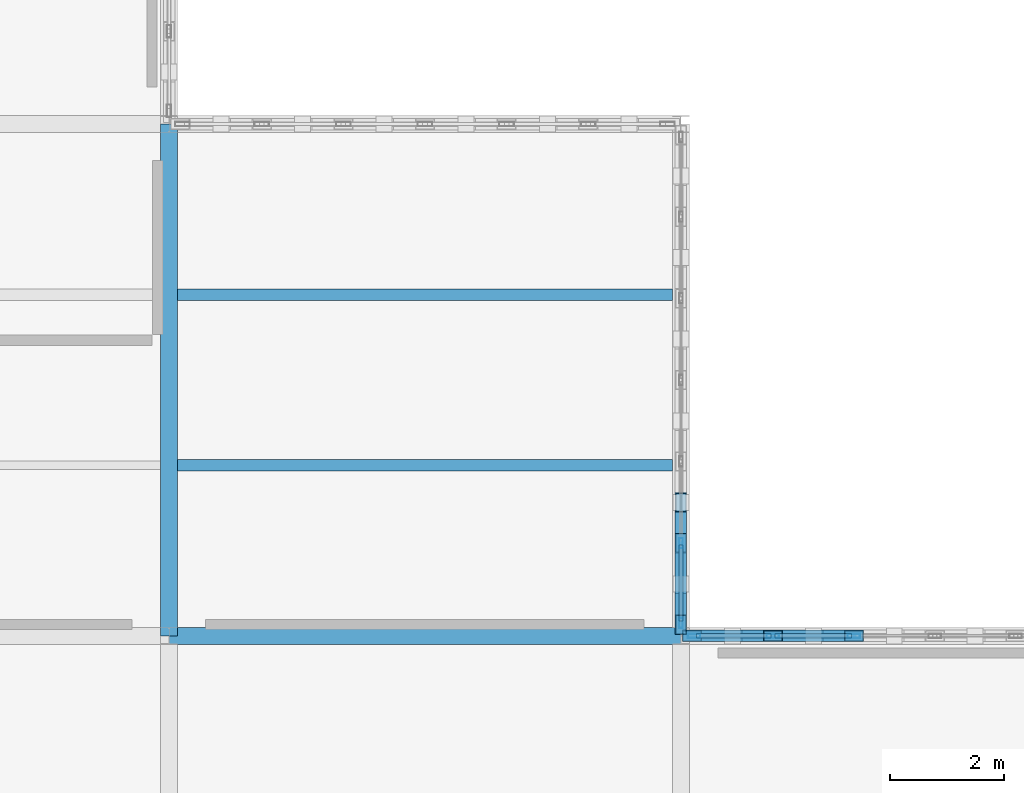
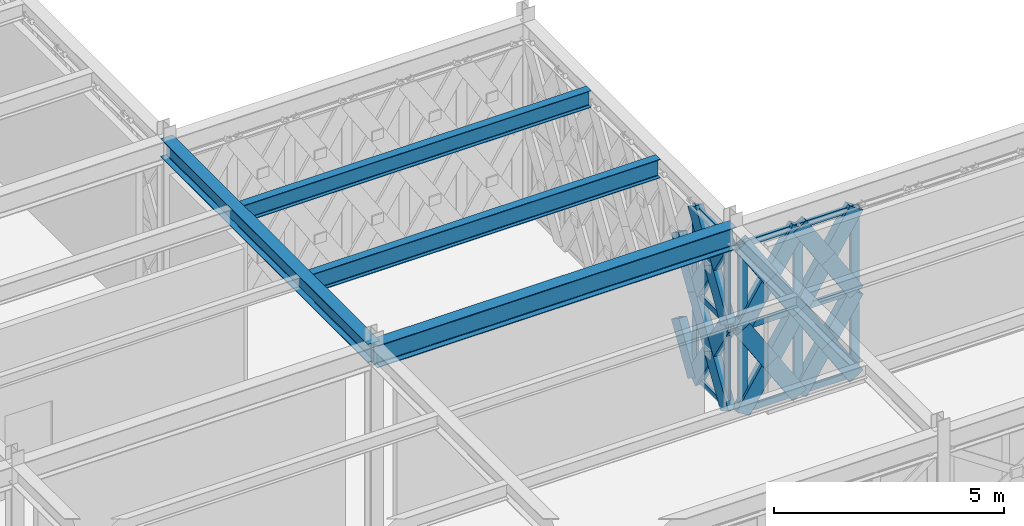
# One storey, part 108 of 155: 34 members, 4 beams, 2 elements without a shape of their own.
"""IFC4 building model written with IfcOpenShell, lengths in metres."""

from ifc_helpers import new_model, si_unit, direction, frame, origin, origin_2d, place, context, subcontext, project, spatial, hollow_rectangle, i_section, extrude, material, material_profile, profile_set, type_object, element, aggregate, save


model = new_model("IFC4")

# Units and contexts
model_context = context("Model", 3, precision=1e-05, world=origin(), true_north=direction((0.0, 1.0)))
body_context = subcontext(model_context, "Body", "Model", "MODEL_VIEW")
ifc_project = project(units=[si_unit("LENGTHUNIT", "METRE"), si_unit("AREAUNIT", "SQUARE_METRE"), si_unit("VOLUMEUNIT", "CUBIC_METRE"), si_unit("PLANEANGLEUNIT", "RADIAN"), si_unit("MASSUNIT", "GRAM", prefix="KILO")], contexts=[model_context])

# Site, building, storey
site_placement = place(None, origin())
site = spatial("IfcSite", under=ifc_project, at=site_placement, CompositionType="ELEMENT")
building_placement = place(site_placement, origin())
building = spatial("IfcBuilding", under=site, at=building_placement, Name="Haizhuo Lancet Aquarium", CompositionType="ELEMENT")
storey_placement = place(building_placement, frame((0.0, 0.0, 10.800048828125)))
storey = spatial("IfcBuildingStorey", under=building, at=storey_placement, Name="L02", CompositionType="ELEMENT", Elevation=10.800048828125)

# Beams
ifc_material_1 = material(Name="Steel S355", Category="steel")
ifc_material_profile_1 = material_profile(ifc_material_1, i_section(OverallWidth=0.300048828125, OverallDepth=0.488037109375, WebThickness=0.010986328125, FlangeThickness=0.01806640625, FilletRadius=0.02392578125, at=origin_2d()), Name="HM 488x300x11x18")
ifc_profile_set_1 = profile_set([ifc_material_profile_1], Name="Steel S355")
beam_type_1 = type_object("IfcBeamType", Name="BM-ST-HM488", PredefinedType="BEAM", material=ifc_profile_set_1)
beam_1_placement = place(storey_placement, frame((63.0, 18.0, 4.805908203125), z_axis=(0.0, 1.0, 0.0), x_axis=(-1.0, 0.0, 0.0)))
element("IfcBeam", 1, at=beam_1_placement, inside=storey, type_object=beam_type_1, Name="L02 V7 primary girder BM-L02-V7-023", PredefinedType="BEAM", context=body_context, shape_type="SweptSolid", body=[
    extrude(i_section(OverallWidth=0.300048828125, OverallDepth=0.488037109375, WebThickness=0.010986328125, FlangeThickness=0.01806640625, FilletRadius=0.02392578125, at=origin_2d()), origin(), (0.0, 0.0, 1.0), 9.0),
])
ifc_material_profile_2 = material_profile(ifc_material_1, i_section(OverallWidth=0.300048828125, OverallDepth=0.587890625, WebThickness=0.011962890625, FlangeThickness=0.02001953125, FilletRadius=0.02587890625, at=origin_2d()), Name="HM 588x300x12x20")
ifc_profile_set_2 = profile_set([ifc_material_profile_2], Name="Steel S355")
beam_type_2 = type_object("IfcBeamType", Name="BM-ST-HM588", PredefinedType="BEAM", material=ifc_profile_set_2)
beam_2_placement = place(storey_placement, frame((63.0, 18.0, 4.755859375), z_axis=(1.0, 0.0, 0.0), x_axis=(0.0, 1.0, 0.0)))
element("IfcBeam", 2, at=beam_2_placement, inside=storey, type_object=beam_type_2, Name="L02 V7 primary girder BM-L02-V7-024", PredefinedType="BEAM", context=body_context, shape_type="SweptSolid", body=[
    extrude(i_section(OverallWidth=0.300048828125, OverallDepth=0.587890625, WebThickness=0.011962890625, FlangeThickness=0.02001953125, FilletRadius=0.02587890625, at=origin_2d()), origin(), (0.0, 0.0, 1.0), 9.0),
])

# Curtain wall, members
ifc_material_2 = material(Name="Aluminium 6063-T6", Category="aluminium")
curtain_wall_type_1 = type_object("IfcCurtainWallType", Name="CWD-8610x4560", PredefinedType="NOTDEFINED", material=ifc_material_2)
curtain_wall_1_placement = place(storey_placement, origin())
curtain_wall_1 = element("IfcCurtainWall", 3, at=curtain_wall_1_placement, inside=storey, type_object=curtain_wall_type_1, Name="L02 curtain wall CW-V7-L02-301", PredefinedType="NOTDEFINED")
ifc_material_profile_3 = material_profile(ifc_material_2, hollow_rectangle(XDim=0.06494140625, YDim=0.179931640625, WallThickness=0.00390625, at=origin_2d()), Name="ALU-M 65x180x4")
ifc_profile_set_3 = profile_set([ifc_material_profile_3], Name="Aluminium 6063-T6")
member_type_1 = type_object("IfcMemberType", Name="CW-MUL-1", PredefinedType="MULLION", material=ifc_profile_set_3)
member_1_placement = place(storey_placement, frame((72.0, 19.6298828125, 0.0), z_axis=(0.0, 0.0, 1.0), x_axis=(1.0, 0.0, 0.0)))
member_1 = element("IfcMember", 4, at=member_1_placement, type_object=member_type_1, Name="CWD-86x45 mullion 6", PredefinedType="MULLION", context=body_context, shape_type="SweptSolid", body=[
    extrude(hollow_rectangle(XDim=0.06494140625, YDim=0.179931640625, WallThickness=0.00390625, at=origin_2d()), origin(), (0.0, 0.0, 1.0), 4.56201171875),
])
member_2_placement = place(storey_placement, frame((72.0, 18.22705078125, 0.0), z_axis=(0.0, 0.0, 1.0), x_axis=(1.0, 0.0, 0.0)))
member_2 = element("IfcMember", 5, at=member_2_placement, type_object=member_type_1, Name="CWD-86x45 mullion 7", PredefinedType="MULLION", context=body_context, shape_type="SweptSolid", body=[
    extrude(hollow_rectangle(XDim=0.06494140625, YDim=0.179931640625, WallThickness=0.00390625, at=origin_2d()), origin(), (0.0, 0.0, 1.0), 4.56201171875),
])

curtain_wall_type_2 = type_object("IfcCurtainWallType", Name="CWD-9960x4460", PredefinedType="NOTDEFINED", material=ifc_material_2)
curtain_wall_2_placement = place(storey_placement, origin())
curtain_wall_2 = element("IfcCurtainWall", 6, at=curtain_wall_2_placement, inside=storey, type_object=curtain_wall_type_2, Name="L02 curtain wall CW-V7-L02-302", PredefinedType="NOTDEFINED")
ifc_material_profile_4 = material_profile(ifc_material_2, hollow_rectangle(XDim=0.074951171875, YDim=0.219970703125, WallThickness=0.0048828125, at=origin_2d()), Name="ALU-M 75x220x5")
ifc_profile_set_4 = profile_set([ifc_material_profile_4], Name="Aluminium 6063-T6")
member_type_2 = type_object("IfcMemberType", Name="CW-MUL-2", PredefinedType="MULLION", material=ifc_profile_set_4)
member_3_placement = place(storey_placement, frame((72.23193359375, 18.0, 0.0), z_axis=(0.0, 0.0, 1.0), x_axis=(0.0, 1.0, 0.0)))
member_3 = element("IfcMember", 7, at=member_3_placement, type_object=member_type_2, Name="CWD-99x44 mullion 1", PredefinedType="MULLION", context=body_context, shape_type="SweptSolid", body=[
    extrude(hollow_rectangle(XDim=0.074951171875, YDim=0.219970703125, WallThickness=0.0048828125, at=origin_2d()), origin(), (0.0, 0.0, 1.0), 4.4619140625),
])
member_4_placement = place(storey_placement, frame((73.617919921875, 18.0, 0.0), z_axis=(0.0, 0.0, 1.0), x_axis=(0.0, 1.0, 0.0)))
member_4 = element("IfcMember", 8, at=member_4_placement, type_object=member_type_2, Name="CWD-99x44 mullion 2", PredefinedType="MULLION", context=body_context, shape_type="SweptSolid", body=[
    extrude(hollow_rectangle(XDim=0.074951171875, YDim=0.219970703125, WallThickness=0.0048828125, at=origin_2d()), origin(), (0.0, 0.0, 1.0), 4.4619140625),
])
member_5_placement = place(storey_placement, frame((75.041015625, 18.0, 0.0), z_axis=(0.0, 0.0, 1.0), x_axis=(0.0, 1.0, 0.0)))
member_5 = element("IfcMember", 9, at=member_5_placement, type_object=member_type_2, Name="CWD-99x44 mullion 3", PredefinedType="MULLION", context=body_context, shape_type="SweptSolid", body=[
    extrude(hollow_rectangle(XDim=0.074951171875, YDim=0.219970703125, WallThickness=0.0048828125, at=origin_2d()), origin(), (0.0, 0.0, 1.0), 4.4619140625),
])

# Member
ifc_material_profile_5 = material_profile(ifc_material_2, hollow_rectangle(XDim=0.06494140625, YDim=0.139892578125, WallThickness=0.00390625, at=origin_2d()), Name="ALU-T 65x140x4")
ifc_profile_set_5 = profile_set([ifc_material_profile_5], Name="Aluminium 6063-T6")
member_type_3 = type_object("IfcMemberType", Name="CW-TRN-1", PredefinedType="NOTDEFINED", material=ifc_profile_set_5)
member_6_placement = place(storey_placement, frame((72.0, 19.597900390625, 0.032958984375), z_axis=(0.0, -1.0, 0.0), x_axis=(1.0, 0.0, 0.0)))
member_6 = element("IfcMember", 10, at=member_6_placement, type_object=member_type_3, Name="CWD-86x45 transom 6.1", ObjectType="TRANSOM", PredefinedType="USERDEFINED", context=body_context, shape_type="SweptSolid", body=[
    extrude(hollow_rectangle(XDim=0.06494140625, YDim=0.139892578125, WallThickness=0.00390625, at=origin_2d()), origin(), (0.0, 0.0, 1.0), 1.337890625),
])

member_7_placement = place(storey_placement, frame((72.0, 19.597900390625, 2.281005859375), z_axis=(0.0, -1.0, 0.0), x_axis=(1.0, 0.0, 0.0)))
member_7 = element("IfcMember", 11, at=member_7_placement, type_object=member_type_3, Name="CWD-86x45 transom 6.2", ObjectType="TRANSOM", PredefinedType="USERDEFINED", context=body_context, shape_type="SweptSolid", body=[
    extrude(hollow_rectangle(XDim=0.06494140625, YDim=0.139892578125, WallThickness=0.00390625, at=origin_2d()), origin(), (0.0, 0.0, 1.0), 1.337890625),
])

member_8_placement = place(storey_placement, frame((72.0, 19.597900390625, 4.529052734375), z_axis=(0.0, -1.0, 0.0), x_axis=(1.0, 0.0, 0.0)))
member_8 = element("IfcMember", 12, at=member_8_placement, type_object=member_type_3, Name="CWD-86x45 transom 6.3", ObjectType="TRANSOM", PredefinedType="USERDEFINED", context=body_context, shape_type="SweptSolid", body=[
    extrude(hollow_rectangle(XDim=0.06494140625, YDim=0.139892578125, WallThickness=0.00390625, at=origin_2d()), origin(), (0.0, 0.0, 1.0), 1.337890625),
])

aggregate(curtain_wall_1, [member_1, member_2, member_6, member_7, member_8])

ifc_material_profile_6 = material_profile(ifc_material_2, hollow_rectangle(XDim=0.074951171875, YDim=0.159912109375, WallThickness=0.00390625, at=origin_2d()), Name="ALU-T 75x160x4")
ifc_profile_set_6 = profile_set([ifc_material_profile_6], Name="Aluminium 6063-T6")
member_type_4 = type_object("IfcMemberType", Name="CW-TRN-2", PredefinedType="NOTDEFINED", material=ifc_profile_set_6)
member_9_placement = place(storey_placement, frame((72.27001953125, 18.0, 0.037841796875), z_axis=(1.0, 0.0, 0.0), x_axis=(0.0, 1.0, 0.0)))
member_9 = element("IfcMember", 13, at=member_9_placement, type_object=member_type_4, Name="CWD-99x44 transom 1.1", ObjectType="TRANSOM", PredefinedType="USERDEFINED", context=body_context, shape_type="SweptSolid", body=[
    extrude(hollow_rectangle(XDim=0.074951171875, YDim=0.159912109375, WallThickness=0.00390625, at=origin_2d()), origin(), (0.0, 0.0, 1.0), 1.31005859375),
])

member_10_placement = place(storey_placement, frame((72.27001953125, 18.0, 2.23095703125), z_axis=(1.0, 0.0, 0.0), x_axis=(0.0, 1.0, 0.0)))
member_10 = element("IfcMember", 14, at=member_10_placement, type_object=member_type_4, Name="CWD-99x44 transom 1.2", ObjectType="TRANSOM", PredefinedType="USERDEFINED", context=body_context, shape_type="SweptSolid", body=[
    extrude(hollow_rectangle(XDim=0.074951171875, YDim=0.159912109375, WallThickness=0.00390625, at=origin_2d()), origin(), (0.0, 0.0, 1.0), 1.31005859375),
])

member_11_placement = place(storey_placement, frame((72.27001953125, 18.0, 4.425048828125), z_axis=(1.0, 0.0, 0.0), x_axis=(0.0, 1.0, 0.0)))
member_11 = element("IfcMember", 15, at=member_11_placement, type_object=member_type_4, Name="CWD-99x44 transom 1.3", ObjectType="TRANSOM", PredefinedType="USERDEFINED", context=body_context, shape_type="SweptSolid", body=[
    extrude(hollow_rectangle(XDim=0.074951171875, YDim=0.159912109375, WallThickness=0.00390625, at=origin_2d()), origin(), (0.0, 0.0, 1.0), 1.31005859375),
])

member_12_placement = place(storey_placement, frame((73.655029296875, 18.0, 0.037841796875), z_axis=(1.0, 0.0, 0.0), x_axis=(0.0, 1.0, 0.0)))
member_12 = element("IfcMember", 16, at=member_12_placement, type_object=member_type_4, Name="CWD-99x44 transom 2.1", ObjectType="TRANSOM", PredefinedType="USERDEFINED", context=body_context, shape_type="SweptSolid", body=[
    extrude(hollow_rectangle(XDim=0.074951171875, YDim=0.159912109375, WallThickness=0.00390625, at=origin_2d()), origin(), (0.0, 0.0, 1.0), 1.347900390625),
])

member_13_placement = place(storey_placement, frame((73.655029296875, 18.0, 2.23095703125), z_axis=(1.0, 0.0, 0.0), x_axis=(0.0, 1.0, 0.0)))
member_13 = element("IfcMember", 17, at=member_13_placement, type_object=member_type_4, Name="CWD-99x44 transom 2.2", ObjectType="TRANSOM", PredefinedType="USERDEFINED", context=body_context, shape_type="SweptSolid", body=[
    extrude(hollow_rectangle(XDim=0.074951171875, YDim=0.159912109375, WallThickness=0.00390625, at=origin_2d()), origin(), (0.0, 0.0, 1.0), 1.347900390625),
])

member_14_placement = place(storey_placement, frame((73.655029296875, 18.0, 4.425048828125), z_axis=(1.0, 0.0, 0.0), x_axis=(0.0, 1.0, 0.0)))
member_14 = element("IfcMember", 18, at=member_14_placement, type_object=member_type_4, Name="CWD-99x44 transom 2.3", ObjectType="TRANSOM", PredefinedType="USERDEFINED", context=body_context, shape_type="SweptSolid", body=[
    extrude(hollow_rectangle(XDim=0.074951171875, YDim=0.159912109375, WallThickness=0.00390625, at=origin_2d()), origin(), (0.0, 0.0, 1.0), 1.347900390625),
])

aggregate(curtain_wall_2, [member_3, member_4, member_5, member_9, member_10, member_11, member_12, member_13, member_14])

# Beams
ifc_material_profile_7 = material_profile(ifc_material_1, i_section(OverallWidth=0.199951171875, OverallDepth=0.449951171875, WebThickness=0.009033203125, FlangeThickness=0.013916015625, FilletRadius=0.01806640625, at=origin_2d()), Name="HN 450x200x9x14")
ifc_profile_set_7 = profile_set([ifc_material_profile_7], Name="Steel S355")
beam_type_3 = type_object("IfcBeamType", Name="JST-ST-HN450", PredefinedType="JOIST", material=ifc_profile_set_7)
beam_3_placement = place(storey_placement, frame((63.14990234375, 24.0, 4.824951171875), z_axis=(1.0, 0.0, 0.0), x_axis=(0.0, 1.0, 0.0)))
element("IfcBeam", 19, at=beam_3_placement, inside=storey, type_object=beam_type_3, Name="L02 V7 secondary floor joist 18", PredefinedType="JOIST", context=body_context, shape_type="SweptSolid", body=[
    extrude(i_section(OverallWidth=0.199951171875, OverallDepth=0.449951171875, WebThickness=0.009033203125, FlangeThickness=0.013916015625, FilletRadius=0.01806640625, at=origin_2d()), origin(), (0.0, 0.0, 1.0), 8.7001953125),
])
ifc_material_profile_8 = material_profile(ifc_material_1, i_section(OverallWidth=0.199951171875, OverallDepth=0.5, WebThickness=0.010009765625, FlangeThickness=0.01611328125, FilletRadius=0.02001953125, at=origin_2d()), Name="HN 500x200x10x16")
ifc_profile_set_8 = profile_set([ifc_material_profile_8], Name="Steel S355")
beam_type_4 = type_object("IfcBeamType", Name="JST-ST-HN500", PredefinedType="JOIST", material=ifc_profile_set_8)
beam_4_placement = place(storey_placement, frame((63.14990234375, 21.0, 4.800048828125), z_axis=(1.0, 0.0, 0.0), x_axis=(0.0, 1.0, 0.0)))
element("IfcBeam", 20, at=beam_4_placement, inside=storey, type_object=beam_type_4, Name="L02 V7 secondary floor joist 17", PredefinedType="JOIST", context=body_context, shape_type="SweptSolid", body=[
    extrude(i_section(OverallWidth=0.199951171875, OverallDepth=0.5, WebThickness=0.010009765625, FlangeThickness=0.01611328125, FilletRadius=0.02001953125, at=origin_2d()), origin(), (0.0, 0.0, 1.0), 8.7001953125),
])

# Members
ifc_material_profile_9 = material_profile(ifc_material_1, hollow_rectangle(XDim=0.199951171875, YDim=0.39990234375, WallThickness=0.011962890625, at=origin_2d()), Name="RHS 200x400x12")
ifc_profile_set_9 = profile_set([ifc_material_profile_9], Name="Steel S355")
member_type_5 = type_object("IfcMemberType", Name="MEM-LB-RHS200x400", PredefinedType="BRACE", material=ifc_profile_set_9)
member_15_placement = place(storey_placement, frame((72.0, 19.6298828125, 0.0), z_axis=(0.0, 0.532649938865, 0.846335656006), x_axis=(-1.0, 0.0, 0.0)))
element("IfcMember", 21, at=member_15_placement, inside=storey, type_object=member_type_5, Name="Gothic lancet split diagonal brace CW-V7-L02-301 9B1", PredefinedType="BRACE", context=body_context, shape_type="SweptSolid", body=[
    extrude(hollow_rectangle(XDim=0.199951171875, YDim=0.39990234375, WallThickness=0.011962890625, at=origin_2d()), origin(), (0.0, 0.0, 1.0), 1.347900390625),
])
member_16_placement = place(storey_placement, frame((72.0, 19.6298828125, 2.281005859375), z_axis=(0.0, 0.532976680835, 0.846129929554), x_axis=(-1.0, 0.0, 0.0)))
element("IfcMember", 22, at=member_16_placement, inside=storey, type_object=member_type_5, Name="Gothic lancet split diagonal brace CW-V7-L02-301 10B1", PredefinedType="BRACE", context=body_context, shape_type="SweptSolid", body=[
    extrude(hollow_rectangle(XDim=0.199951171875, YDim=0.39990234375, WallThickness=0.011962890625, at=origin_2d()), origin(), (0.0, 0.0, 1.0), 1.34716796875),
])
member_17_placement = place(storey_placement, frame((72.0, 19.6298828125, 0.0), z_axis=(0.0, -0.532447977761, 0.846462728641), x_axis=(1.0, 0.0, 0.0)))
element("IfcMember", 23, at=member_17_placement, inside=storey, type_object=member_type_5, Name="Gothic lancet continuous diagonal brace CW-V7-L02-301 11A", PredefinedType="BRACE", context=body_context, shape_type="SweptSolid", body=[
    extrude(hollow_rectangle(XDim=0.199951171875, YDim=0.39990234375, WallThickness=0.011962890625, at=origin_2d()), origin(), (0.0, 0.0, 1.0), 2.69482421875),
])
member_18_placement = place(storey_placement, frame((72.0, 18.195068359375, 0.0), z_axis=(0.0, 0.532649938865, 0.846335656006), x_axis=(-1.0, 0.0, 0.0)))
element("IfcMember", 24, at=member_18_placement, inside=storey, type_object=member_type_5, Name="Gothic lancet split diagonal brace CW-V7-L02-301 11B1", PredefinedType="BRACE", context=body_context, shape_type="SweptSolid", body=[
    extrude(hollow_rectangle(XDim=0.199951171875, YDim=0.39990234375, WallThickness=0.011962890625, at=origin_2d()), origin(), (0.0, 0.0, 1.0), 1.347900390625),
])
member_19_placement = place(storey_placement, frame((72.0, 18.9130859375, 1.140869140625), z_axis=(0.0, 0.532245795857, 0.846589872838), x_axis=(-1.0, 0.0, 0.0)))
element("IfcMember", 25, at=member_19_placement, inside=storey, type_object=member_type_5, Name="Gothic lancet split diagonal brace CW-V7-L02-301 11B2", PredefinedType="BRACE", context=body_context, shape_type="SweptSolid", body=[
    extrude(hollow_rectangle(XDim=0.199951171875, YDim=0.39990234375, WallThickness=0.011962890625, at=origin_2d()), origin(), (0.0, 0.0, 1.0), 1.3466796875),
])
member_20_placement = place(storey_placement, frame((72.0, 19.6298828125, 2.281005859375), z_axis=(0.0, -0.532447977761, 0.846462728641), x_axis=(1.0, 0.0, 0.0)))
element("IfcMember", 26, at=member_20_placement, inside=storey, type_object=member_type_5, Name="Gothic lancet continuous diagonal brace CW-V7-L02-301 12A", PredefinedType="BRACE", context=body_context, shape_type="SweptSolid", body=[
    extrude(hollow_rectangle(XDim=0.199951171875, YDim=0.39990234375, WallThickness=0.011962890625, at=origin_2d()), origin(), (0.0, 0.0, 1.0), 2.69482421875),
])
member_21_placement = place(storey_placement, frame((72.0, 18.195068359375, 2.281005859375), z_axis=(0.0, 0.532976680835, 0.846129929554), x_axis=(-1.0, 0.0, 0.0)))
element("IfcMember", 27, at=member_21_placement, inside=storey, type_object=member_type_5, Name="Gothic lancet split diagonal brace CW-V7-L02-301 12B1", PredefinedType="BRACE", context=body_context, shape_type="SweptSolid", body=[
    extrude(hollow_rectangle(XDim=0.199951171875, YDim=0.39990234375, WallThickness=0.011962890625, at=origin_2d()), origin(), (0.0, 0.0, 1.0), 1.34716796875),
])
member_22_placement = place(storey_placement, frame((72.0, 18.9130859375, 3.4208984375), z_axis=(0.0, 0.531919217362, 0.846795102844), x_axis=(-1.0, 0.0, 0.0)))
element("IfcMember", 28, at=member_22_placement, inside=storey, type_object=member_type_5, Name="Gothic lancet split diagonal brace CW-V7-L02-301 12B2", PredefinedType="BRACE", context=body_context, shape_type="SweptSolid", body=[
    extrude(hollow_rectangle(XDim=0.199951171875, YDim=0.39990234375, WallThickness=0.011962890625, at=origin_2d()), origin(), (0.0, 0.0, 1.0), 1.34765625),
])
member_23_placement = place(storey_placement, frame((72.195068359375, 18.0, 0.0), z_axis=(0.537722977705, 0.0, 0.843121580348), x_axis=(0.0, 1.0, 0.0)))
element("IfcMember", 29, at=member_23_placement, inside=storey, type_object=member_type_5, Name="Gothic lancet continuous diagonal brace CW-V7-L02-302 1A", PredefinedType="BRACE", context=body_context, shape_type="SweptSolid", body=[
    extrude(hollow_rectangle(XDim=0.199951171875, YDim=0.39990234375, WallThickness=0.011962890625, at=origin_2d()), origin(), (0.0, 0.0, 1.0), 2.64599609375),
])
member_24_placement = place(storey_placement, frame((73.617919921875, 18.0, 0.0), z_axis=(-0.537817954918, 0.0, 0.843060998604), x_axis=(0.0, -1.0, 0.0)))
element("IfcMember", 30, at=member_24_placement, inside=storey, type_object=member_type_5, Name="Gothic lancet split diagonal brace CW-V7-L02-302 1B1", PredefinedType="BRACE", context=body_context, shape_type="SweptSolid", body=[
    extrude(hollow_rectangle(XDim=0.199951171875, YDim=0.39990234375, WallThickness=0.011962890625, at=origin_2d()), origin(), (0.0, 0.0, 1.0), 1.32373046875),
])
member_25_placement = place(storey_placement, frame((72.906005859375, 18.0, 1.115966796875), z_axis=(-0.537627896804, 0.0, 0.843182213153), x_axis=(0.0, -1.0, 0.0)))
element("IfcMember", 31, at=member_25_placement, inside=storey, type_object=member_type_5, Name="Gothic lancet split diagonal brace CW-V7-L02-302 1B2", PredefinedType="BRACE", context=body_context, shape_type="SweptSolid", body=[
    extrude(hollow_rectangle(XDim=0.199951171875, YDim=0.39990234375, WallThickness=0.011962890625, at=origin_2d()), origin(), (0.0, 0.0, 1.0), 1.322265625),
])
member_26_placement = place(storey_placement, frame((72.195068359375, 18.0, 2.23095703125), z_axis=(0.537722977705, 0.0, 0.843121580348), x_axis=(0.0, 1.0, 0.0)))
element("IfcMember", 32, at=member_26_placement, inside=storey, type_object=member_type_5, Name="Gothic lancet continuous diagonal brace CW-V7-L02-302 2A", PredefinedType="BRACE", context=body_context, shape_type="SweptSolid", body=[
    extrude(hollow_rectangle(XDim=0.199951171875, YDim=0.39990234375, WallThickness=0.011962890625, at=origin_2d()), origin(), (0.0, 0.0, 1.0), 2.64599609375),
])
member_27_placement = place(storey_placement, frame((73.617919921875, 18.0, 2.23095703125), z_axis=(-0.538152625261, 0.0, 0.84284740726), x_axis=(0.0, -1.0, 0.0)))
element("IfcMember", 33, at=member_27_placement, inside=storey, type_object=member_type_5, Name="Gothic lancet split diagonal brace CW-V7-L02-302 2B1", PredefinedType="BRACE", context=body_context, shape_type="SweptSolid", body=[
    extrude(hollow_rectangle(XDim=0.199951171875, YDim=0.39990234375, WallThickness=0.011962890625, at=origin_2d()), origin(), (0.0, 0.0, 1.0), 1.322998046875),
])
member_28_placement = place(storey_placement, frame((72.906005859375, 18.0, 3.345947265625), z_axis=(-0.537293287353, 0.0, 0.843395472697), x_axis=(0.0, -1.0, 0.0)))
element("IfcMember", 34, at=member_28_placement, inside=storey, type_object=member_type_5, Name="Gothic lancet split diagonal brace CW-V7-L02-302 2B2", PredefinedType="BRACE", context=body_context, shape_type="SweptSolid", body=[
    extrude(hollow_rectangle(XDim=0.199951171875, YDim=0.39990234375, WallThickness=0.011962890625, at=origin_2d()), origin(), (0.0, 0.0, 1.0), 1.3232421875),
])
member_29_placement = place(storey_placement, frame((73.617919921875, 18.0, 0.0), z_axis=(0.53778856008, 0.0, 0.843079749874), x_axis=(0.0, 1.0, 0.0)))
element("IfcMember", 35, at=member_29_placement, inside=storey, type_object=member_type_5, Name="Gothic lancet continuous diagonal brace CW-V7-L02-302 3A", PredefinedType="BRACE", context=body_context, shape_type="SweptSolid", body=[
    extrude(hollow_rectangle(XDim=0.199951171875, YDim=0.39990234375, WallThickness=0.011962890625, at=origin_2d()), origin(), (0.0, 0.0, 1.0), 2.646240234375),
])
member_30_placement = place(storey_placement, frame((75.041015625, 18.0, 0.0), z_axis=(-0.537817954918, 0.0, 0.843060998604), x_axis=(0.0, -1.0, 0.0)))
element("IfcMember", 36, at=member_30_placement, inside=storey, type_object=member_type_5, Name="Gothic lancet split diagonal brace CW-V7-L02-302 3B1", PredefinedType="BRACE", context=body_context, shape_type="SweptSolid", body=[
    extrude(hollow_rectangle(XDim=0.199951171875, YDim=0.39990234375, WallThickness=0.011962890625, at=origin_2d()), origin(), (0.0, 0.0, 1.0), 1.32373046875),
])
member_31_placement = place(storey_placement, frame((74.3291015625, 18.0, 1.115966796875), z_axis=(-0.537759137533, 0.0, 0.843098517375), x_axis=(0.0, -1.0, 0.0)))
element("IfcMember", 37, at=member_31_placement, inside=storey, type_object=member_type_5, Name="Gothic lancet split diagonal brace CW-V7-L02-302 3B2", PredefinedType="BRACE", context=body_context, shape_type="SweptSolid", body=[
    extrude(hollow_rectangle(XDim=0.199951171875, YDim=0.39990234375, WallThickness=0.011962890625, at=origin_2d()), origin(), (0.0, 0.0, 1.0), 1.322509765625),
])
member_32_placement = place(storey_placement, frame((73.617919921875, 18.0, 2.23095703125), z_axis=(0.53778856008, 0.0, 0.843079749874), x_axis=(0.0, 1.0, 0.0)))
element("IfcMember", 38, at=member_32_placement, inside=storey, type_object=member_type_5, Name="Gothic lancet continuous diagonal brace CW-V7-L02-302 4A", PredefinedType="BRACE", context=body_context, shape_type="SweptSolid", body=[
    extrude(hollow_rectangle(XDim=0.199951171875, YDim=0.39990234375, WallThickness=0.011962890625, at=origin_2d()), origin(), (0.0, 0.0, 1.0), 2.646240234375),
])
member_33_placement = place(storey_placement, frame((75.041015625, 18.0, 2.23095703125), z_axis=(-0.538152625261, 0.0, 0.84284740726), x_axis=(0.0, -1.0, 0.0)))
element("IfcMember", 39, at=member_33_placement, inside=storey, type_object=member_type_5, Name="Gothic lancet split diagonal brace CW-V7-L02-302 4B1", PredefinedType="BRACE", context=body_context, shape_type="SweptSolid", body=[
    extrude(hollow_rectangle(XDim=0.199951171875, YDim=0.39990234375, WallThickness=0.011962890625, at=origin_2d()), origin(), (0.0, 0.0, 1.0), 1.322998046875),
])
member_34_placement = place(storey_placement, frame((74.3291015625, 18.0, 3.345947265625), z_axis=(-0.53742451278, 0.0, 0.843311859909), x_axis=(0.0, -1.0, 0.0)))
element("IfcMember", 40, at=member_34_placement, inside=storey, type_object=member_type_5, Name="Gothic lancet split diagonal brace CW-V7-L02-302 4B2", PredefinedType="BRACE", context=body_context, shape_type="SweptSolid", body=[
    extrude(hollow_rectangle(XDim=0.199951171875, YDim=0.39990234375, WallThickness=0.011962890625, at=origin_2d()), origin(), (0.0, 0.0, 1.0), 1.3232421875),
])

save(model, "model.ifc")
